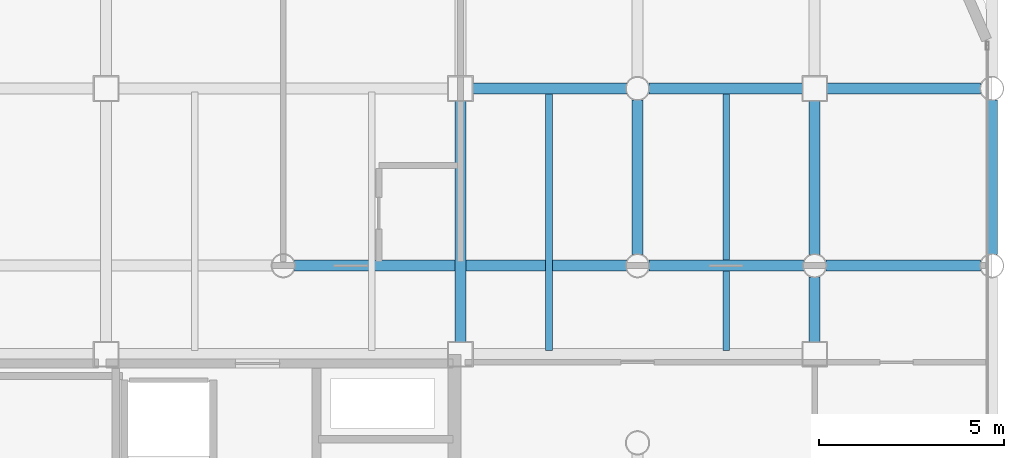
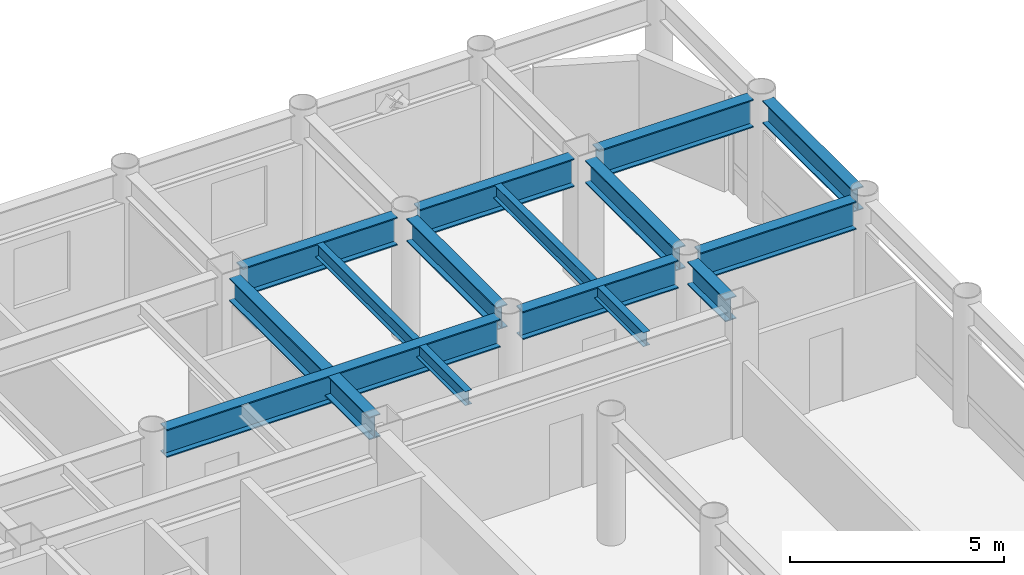
# One storey, part 13 of 19: 13 beams.
"""IFC4 building model written with IfcOpenShell, lengths in metres."""

import ifcopenshell
import ifcopenshell.guid

model = None  # the IFC model being written
_history = None  # IfcOwnerHistory: only IFC2X3 demands one
_inside = {}  # id of a spatial element -> (the spatial element, [elements in it])
_under = {}  # id of a project, library or spatial element -> (it, [spatial elements below it])
_declared = {}  # id of a project -> (the project, [libraries it declares])
_typed = {}  # id of a type object -> (the type object, [elements of that type])
_made_of = {}  # id of a material, layer set ... -> (it, [elements and type objects made of it])


def new_model(schema):
    """Start an empty IFC model of exactly this schema.

    Asked for "IFC4X3", IfcOpenShell would pick the latest addendum, in which some entities
    have other attributes; the version numbers below select the first issue.
    IFC2X3 requires an IfcOwnerHistory on every rooted entity: one is made here for all.
    """
    global model, _history
    if schema == "IFC4X3":
        model = ifcopenshell.file(schema_version=(4, 3, 0, 0))
    else:
        model = ifcopenshell.file(schema=schema)
    _inside.clear()
    _under.clear()
    _declared.clear()
    _typed.clear()
    _made_of.clear()
    _history = None
    if model.schema == "IFC2X3":
        org = make("IfcOrganization", Name="unknown")
        user = make(
            "IfcPersonAndOrganization",
            ThePerson=make("IfcPerson", FamilyName="unknown"),
            TheOrganization=org,
        )
        app = make(
            "IfcApplication",
            ApplicationDeveloper=org,
            Version="unknown",
            ApplicationFullName="unknown",
            ApplicationIdentifier="unknown",
        )
        _history = make(
            "IfcOwnerHistory",
            OwningUser=user,
            OwningApplication=app,
            ChangeAction="ADDED",
            CreationDate=0,
        )
    return model


def make(cls, **values):
    """One entity of the class cls with the attributes given. An attribute that is None is left unset."""
    return model.create_entity(
        cls, **{name: value for name, value in values.items() if value is not None}
    )


def rooted(cls, **values):
    """An entity with a GlobalId (a new one), such as an element, a storey or a relation."""
    return make(cls, GlobalId=ifcopenshell.guid.new(), OwnerHistory=_history, **values)


def si_unit(unit_type, name, prefix=None):
    """IfcSIUnit, for example si_unit("LENGTHUNIT", "METRE", prefix="MILLI")."""
    return make("IfcSIUnit", UnitType=unit_type, Prefix=prefix, Name=name)


def assignment(units):
    """IfcUnitAssignment: the units of a project."""
    return None if units is None else make("IfcUnitAssignment", Units=units)


def point(xyz):
    """IfcCartesianPoint."""
    return None if xyz is None else make("IfcCartesianPoint", Coordinates=xyz)


def direction(xyz):
    """IfcDirection."""
    return None if xyz is None else make("IfcDirection", DirectionRatios=xyz)


def frame(location, z_axis=None, x_axis=None):
    """IfcAxis2Placement3D, a coordinate frame: its origin and axes. An axis left out is left unset."""
    return make(
        "IfcAxis2Placement3D",
        Location=point(location),
        Axis=direction(z_axis),
        RefDirection=direction(x_axis),
    )


def frame_2d(location, x_axis=None):
    """IfcAxis2Placement2D, a coordinate frame in the plane: its origin and x axis."""
    return make(
        "IfcAxis2Placement2D", Location=point(location), RefDirection=direction(x_axis)
    )


def origin():
    """The frame at (0, 0, 0) with its axes left unset."""
    return frame((0.0, 0.0, 0.0))


def origin_2d():
    """The frame at (0, 0) in the plane with its x axis left unset."""
    return frame_2d((0.0, 0.0))


def place(relative_to, where):
    """IfcLocalPlacement: puts the frame where relative to a parent placement (None: the world)."""
    return make(
        "IfcLocalPlacement", PlacementRelTo=relative_to, RelativePlacement=where
    )


def context(
    kind, dimensions, precision=None, world=None, true_north=None, identifier=None
):
    """IfcGeometricRepresentationContext, for example the 3D "Model" context."""
    return make(
        "IfcGeometricRepresentationContext",
        ContextIdentifier=identifier,
        ContextType=kind,
        CoordinateSpaceDimension=dimensions,
        Precision=precision,
        WorldCoordinateSystem=world,
        TrueNorth=true_north,
    )


def subcontext(parent, identifier, kind, view, scale=None):
    """IfcGeometricRepresentationSubContext, for example "Body" below "Model"."""
    return make(
        "IfcGeometricRepresentationSubContext",
        ContextIdentifier=identifier,
        ContextType=kind,
        ParentContext=parent,
        TargetScale=scale,
        TargetView=view,
    )


def project(units=None, contexts=None):
    """IfcProject with its units and contexts."""
    return rooted(
        "IfcProject",
        Name="project",
        RepresentationContexts=contexts,
        UnitsInContext=assignment(units),
    )


def spatial(cls, under=None, at=None, **own):
    """A site, building, storey or space (cls), placed at a placement, below another one or the project."""
    s = rooted(cls, ObjectPlacement=at, **own)
    if under is not None:
        _under.setdefault(under.id(), (under, []))[1].append(s)
    return s


def profile(cls, at=None, kind="AREA", **sizes):
    """A parametric profile (cls). Its sizes go by their IFC names, for example OverallWidth=200.0."""
    return make(cls, ProfileType=kind, Position=at, **sizes)


def i_section(**sizes):
    """IfcIShapeProfileDef."""
    return profile("IfcIShapeProfileDef", **sizes)


def extrude(swept, where, along, depth):
    """IfcExtrudedAreaSolid: the profile swept, set in the frame where, extruded along a direction by depth."""
    return make(
        "IfcExtrudedAreaSolid",
        SweptArea=swept,
        Position=where,
        ExtrudedDirection=direction(along),
        Depth=depth,
    )


def shape(context_of_items, identifier, shape_type, items):
    """IfcShapeRepresentation: the items that make up one representation, for example the "Body"."""
    return make(
        "IfcShapeRepresentation",
        ContextOfItems=context_of_items,
        RepresentationIdentifier=identifier,
        RepresentationType=shape_type,
        Items=items,
    )


def material(Name=None, Category=None):
    """IfcMaterial."""
    return make("IfcMaterial", Name=Name, Category=Category)


def material_profile(
    of_material, cross_section, Name=None, Category=None, Priority=None
):
    """IfcMaterialProfile: a cross section and its material."""
    return make(
        "IfcMaterialProfile",
        Name=Name,
        Material=of_material,
        Profile=cross_section,
        Priority=Priority,
        Category=Category,
    )


def profile_set(profiles, Name=None, composite=None):
    """IfcMaterialProfileSet."""
    return make(
        "IfcMaterialProfileSet",
        Name=Name,
        MaterialProfiles=profiles,
        CompositeProfile=composite,
    )


def made_of(thing, what):
    """Note that an element or type object is made of a material, layer set ...; save() writes the relation."""
    if what is not None:
        _made_of.setdefault(what.id(), (what, []))[1].append(thing)
    return thing


def type_object(cls, material=None, **own):
    """A type object (cls), such as IfcWallType, which elements share."""
    return made_of(rooted(cls, **own), material)


def element(
    cls,
    number,
    at=None,
    inside=None,
    cuts=None,
    type_object=None,
    material=None,
    context=None,
    identifier="Body",
    shape_type=None,
    held_by="IfcProductDefinitionShape",
    body=None,
    shapes=None,
    **own,
):
    """One element of the class cls, such as IfcWall. Its Tag is "e" and its number.

    at: its placement. inside: the storey or other place that contains it. cuts: it is an
    opening in that element (IfcRelVoidsElement). A single representation is given by context,
    identifier, shape_type and body (its items); several are given by shapes. held_by: the class
    of the entity that holds the representations. save() writes the other relations.
    """
    e = rooted(cls, Tag="e%d" % number, ObjectPlacement=at, **own)
    if body is not None:
        shapes = [shape(context, identifier, shape_type, body)]
    if shapes is not None:
        e.Representation = make(held_by, Representations=shapes)
    if inside is not None:
        _inside.setdefault(inside.id(), (inside, []))[1].append(e)
    if cuts is not None:
        rooted(
            "IfcRelVoidsElement", RelatingBuildingElement=cuts, RelatedOpeningElement=e
        )
    if type_object is not None:
        _typed.setdefault(type_object.id(), (type_object, []))[1].append(e)
    return made_of(e, material)


def aggregate(whole, parts):
    """IfcRelAggregates: a whole, such as a stair, and the parts it consists of."""
    return rooted("IfcRelAggregates", RelatingObject=whole, RelatedObjects=parts)


def save(model, path):
    """Write the relations noted so far, then the file.

    IfcRelAggregates (storeys below a building ...), IfcRelContainedInSpatialStructure (elements
    in a storey), IfcRelDefinesByType, IfcRelAssociatesMaterial and IfcRelDeclares: one each for
    every whole, place, type object, material and project.
    """
    for whole, parts in _under.values():
        aggregate(whole, parts)
    for where, things in _inside.values():
        rooted(
            "IfcRelContainedInSpatialStructure",
            RelatedElements=things,
            RelatingStructure=where,
        )
    for kind, things in _typed.values():
        rooted("IfcRelDefinesByType", RelatedObjects=things, RelatingType=kind)
    for what, things in _made_of.values():
        rooted("IfcRelAssociatesMaterial", RelatedObjects=things, RelatingMaterial=what)
    for by, libraries in _declared.values():
        rooted("IfcRelDeclares", RelatingContext=by, RelatedDefinitions=libraries)
    model.write(path)


model = new_model("IFC4")

# Units and contexts
model_context = context("Model", 3, precision=1e-05, world=origin(), true_north=direction((0.0, 1.0)))
body_context = subcontext(model_context, "Body", "Model", "MODEL_VIEW")
ifc_project = project(units=[si_unit("LENGTHUNIT", "METRE"), si_unit("AREAUNIT", "SQUARE_METRE"), si_unit("VOLUMEUNIT", "CUBIC_METRE"), si_unit("PLANEANGLEUNIT", "RADIAN"), si_unit("MASSUNIT", "GRAM", prefix="KILO")], contexts=[model_context])

# Site, building, storey
site_placement = place(None, origin())
site = spatial("IfcSite", under=ifc_project, at=site_placement, CompositionType="ELEMENT")
building_placement = place(site_placement, origin())
building = spatial("IfcBuilding", under=site, at=building_placement, Name="Kallvorn Hotel Tower", CompositionType="ELEMENT")
storey_placement = place(building_placement, frame((0.0, 0.0, 165.5)))
storey = spatial("IfcBuildingStorey", under=building, at=storey_placement, Name="L41", CompositionType="ELEMENT", Elevation=165.5)

# Beams
ifc_material_1 = material(Name="Structural steel S355JR", Category="steel")
ifc_material_profile_1 = material_profile(ifc_material_1, i_section(OverallWidth=0.300048828125, OverallDepth=0.64990234375, WebThickness=0.01611328125, FlangeThickness=0.031005859375, at=origin_2d()), Name="HE 650 B")
ifc_profile_set_1 = profile_set([ifc_material_profile_1], Name="Structural steel S355JR")
beam_type_1 = type_object("IfcBeamType", Name="BM_HE650B", PredefinedType="BEAM", material=ifc_profile_set_1)
beam_1_placement = place(storey_placement, frame((14.39990234375, 7.52490234375, 3.195068359375), z_axis=(0.0, 1.0, 0.0), x_axis=(-1.0, 0.0, 0.0)))
element("IfcBeam", 1, at=beam_1_placement, inside=storey, type_object=beam_type_1, Name="L42 Primary Y-Girder 125", PredefinedType="BEAM", context=body_context, shape_type="SweptSolid", body=[
    extrude(i_section(OverallWidth=0.300048828125, OverallDepth=0.64990234375, WebThickness=0.01611328125, FlangeThickness=0.031005859375, at=origin_2d()), origin(), (0.0, 0.0, 1.0), 6.550048828125),
])
beam_2_placement = place(storey_placement, frame((19.199951171875, 9.905029296875, 3.195068359375), z_axis=(0.0, 1.0, 0.0), x_axis=(-1.0, 0.0, 0.0)))
element("IfcBeam", 2, at=beam_2_placement, inside=storey, type_object=beam_type_1, Name="L42 Primary Y-Girder 134", PredefinedType="BEAM", context=body_context, shape_type="SweptSolid", body=[
    extrude(i_section(OverallWidth=0.300048828125, OverallDepth=0.64990234375, WebThickness=0.01611328125, FlangeThickness=0.031005859375, at=origin_2d()), origin(), (0.0, 0.0, 1.0), 4.18994140625),
])
beam_3_placement = place(storey_placement, frame((24.0, 7.52490234375, 3.195068359375), z_axis=(0.0, 1.0, 0.0), x_axis=(-1.0, 0.0, 0.0)))
element("IfcBeam", 3, at=beam_3_placement, inside=storey, type_object=beam_type_1, Name="L42 Primary Y-Girder 140", PredefinedType="BEAM", context=body_context, shape_type="SweptSolid", body=[
    extrude(i_section(OverallWidth=0.300048828125, OverallDepth=0.64990234375, WebThickness=0.01611328125, FlangeThickness=0.031005859375, at=origin_2d()), origin(), (0.0, 0.0, 1.0), 1.77001953125),
])
beam_4_placement = place(storey_placement, frame((24.0, 9.905029296875, 3.195068359375), z_axis=(0.0, 1.0, 0.0), x_axis=(-1.0, 0.0, 0.0)))
element("IfcBeam", 4, at=beam_4_placement, inside=storey, type_object=beam_type_1, Name="L42 Primary Y-Girder 141", PredefinedType="BEAM", context=body_context, shape_type="SweptSolid", body=[
    extrude(i_section(OverallWidth=0.300048828125, OverallDepth=0.64990234375, WebThickness=0.01611328125, FlangeThickness=0.031005859375, at=origin_2d()), origin(), (0.0, 0.0, 1.0), 4.169921875),
])
beam_5_placement = place(storey_placement, frame((28.800048828125, 9.905029296875, 3.195068359375), z_axis=(0.0, 1.0, 0.0), x_axis=(-1.0, 0.0, 0.0)))
element("IfcBeam", 5, at=beam_5_placement, inside=storey, type_object=beam_type_1, Name="L42 Primary Y-Girder 149", PredefinedType="BEAM", context=body_context, shape_type="SweptSolid", body=[
    extrude(i_section(OverallWidth=0.300048828125, OverallDepth=0.64990234375, WebThickness=0.01611328125, FlangeThickness=0.031005859375, at=origin_2d()), origin(), (0.0, 0.0, 1.0), 4.18994140625),
])
ifc_material_2 = material(Name="Structural steel S355JR", Category="steel")
ifc_material_profile_2 = material_profile(ifc_material_2, i_section(OverallWidth=0.300048828125, OverallDepth=0.800048828125, WebThickness=0.017578125, FlangeThickness=0.032958984375, at=origin_2d()), Name="HE 800 B")
ifc_profile_set_2 = profile_set([ifc_material_profile_2], Name="Structural steel S355JR")
beam_type_2 = type_object("IfcBeamType", Name="BM_HE800B", PredefinedType="BEAM", material=ifc_profile_set_2)
beam_6_placement = place(storey_placement, frame((9.905029296875, 9.60009765625, 3.1201171875), z_axis=(1.0, 0.0, 0.0), x_axis=(0.0, 1.0, 0.0)))
element("IfcBeam", 6, at=beam_6_placement, inside=storey, type_object=beam_type_2, Name="L42 Primary X-Girder 48", PredefinedType="BEAM", context=body_context, shape_type="SweptSolid", body=[
    extrude(i_section(OverallWidth=0.300048828125, OverallDepth=0.800048828125, WebThickness=0.017578125, FlangeThickness=0.032958984375, at=origin_2d()), origin(), (0.0, 0.0, 1.0), 8.989990234375),
])
for number, where, z_axis, x_axis, name in (
    (7, (19.5048828125, 9.60009765625, 3.1201171875), (1.0, 0.0, 0.0), (0.0, 1.0, 0.0), "L42 Primary X-Girder 49"),
    (8, (24.304931640625, 9.60009765625, 3.1201171875), (1.0, 0.0, 0.0), (0.0, 1.0, 0.0), "L42 Primary X-Girder 50"),
):
    element("IfcBeam", number, at=place(storey_placement, frame(where, z_axis=z_axis, x_axis=x_axis)), inside=storey, type_object=beam_type_2, Name=name, PredefinedType="BEAM", context=body_context, shape_type="SweptSolid", body=[
        extrude(i_section(OverallWidth=0.300048828125, OverallDepth=0.800048828125, WebThickness=0.017578125, FlangeThickness=0.032958984375, at=origin_2d()), origin(), (0.0, 0.0, 1.0), 4.190185546875),
    ])
beam_7_placement = place(storey_placement, frame((14.72509765625, 14.39990234375, 3.1201171875), z_axis=(1.0, 0.0, 0.0), x_axis=(0.0, 1.0, 0.0)))
element("IfcBeam", 9, at=beam_7_placement, inside=storey, type_object=beam_type_2, Name="L42 Primary X-Girder 58", PredefinedType="BEAM", context=body_context, shape_type="SweptSolid", body=[
    extrude(i_section(OverallWidth=0.300048828125, OverallDepth=0.800048828125, WebThickness=0.017578125, FlangeThickness=0.032958984375, at=origin_2d()), origin(), (0.0, 0.0, 1.0), 4.169921875),
])
for number, where, z_axis, x_axis, name in (
    (10, (19.5048828125, 14.39990234375, 3.1201171875), (1.0, 0.0, 0.0), (0.0, 1.0, 0.0), "L42 Primary X-Girder 59"),
    (11, (24.324951171875, 14.39990234375, 3.1201171875), (1.0, 0.0, 0.0), (0.0, 1.0, 0.0), "L42 Primary X-Girder 60"),
):
    element("IfcBeam", number, at=place(storey_placement, frame(where, z_axis=z_axis, x_axis=x_axis)), inside=storey, type_object=beam_type_2, Name=name, PredefinedType="BEAM", context=body_context, shape_type="SweptSolid", body=[
        extrude(i_section(OverallWidth=0.300048828125, OverallDepth=0.800048828125, WebThickness=0.017578125, FlangeThickness=0.032958984375, at=origin_2d()), origin(), (0.0, 0.0, 1.0), 4.170166015625),
    ])
ifc_material_3 = material(Name="Structural steel S355JR", Category="steel")
ifc_material_profile_3 = material_profile(ifc_material_3, i_section(OverallWidth=0.179931640625, OverallDepth=0.39990234375, WebThickness=0.008544921875, FlangeThickness=0.013427734375, at=origin_2d()), Name="IPE 400")
ifc_profile_set_3 = profile_set([ifc_material_profile_3], Name="Structural steel S355JR")
beam_type_3 = type_object("IfcBeamType", Name="BM_IPE400", PredefinedType="JOIST", material=ifc_profile_set_3)
for number, where, z_axis, x_axis, name in (
    (12, (16.800048828125, 7.300048828125, 3.320068359375), (0.0, 1.0, 0.0), (-1.0, 0.0, 0.0), "L42 Secondary Composite Joist 207"),
    (13, (21.60009765625, 7.300048828125, 3.320068359375), (0.0, 1.0, 0.0), (-1.0, 0.0, 0.0), "L42 Secondary Composite Joist 209"),
):
    element("IfcBeam", number, at=place(storey_placement, frame(where, z_axis=z_axis, x_axis=x_axis)), inside=storey, type_object=beam_type_3, Name=name, PredefinedType="JOIST", context=body_context, shape_type="SweptSolid", body=[
        extrude(i_section(OverallWidth=0.179931640625, OverallDepth=0.39990234375, WebThickness=0.008544921875, FlangeThickness=0.013427734375, at=origin_2d()), origin(), (0.0, 0.0, 1.0), 7.0),
    ])

save(model, "model.ifc")
